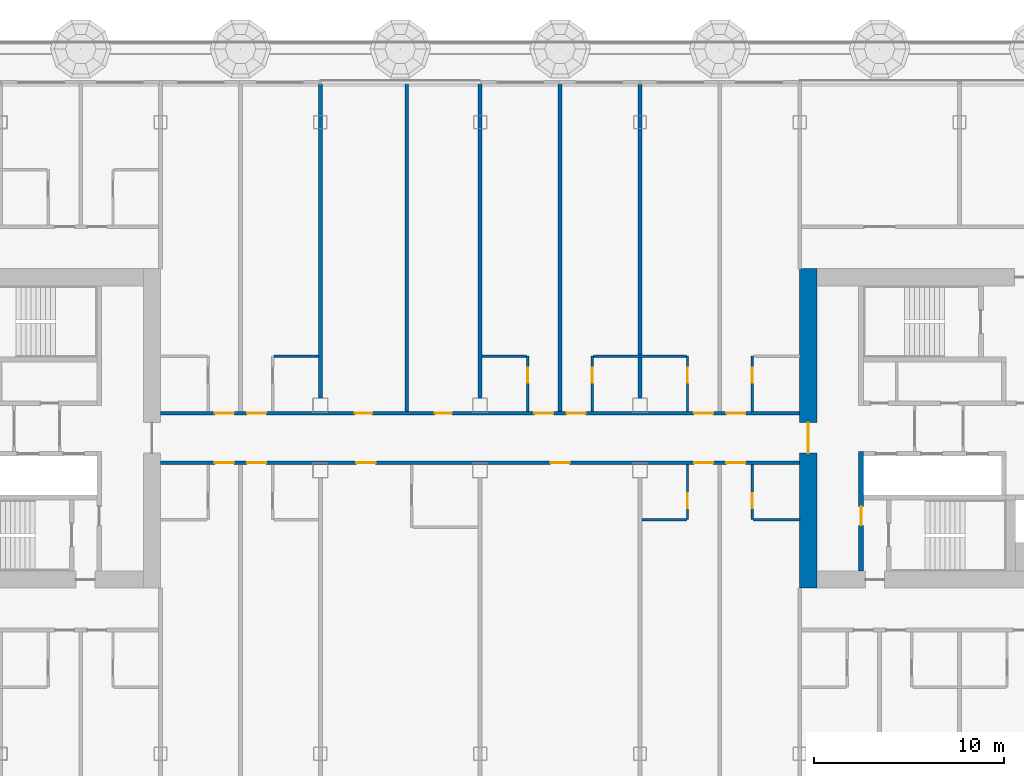
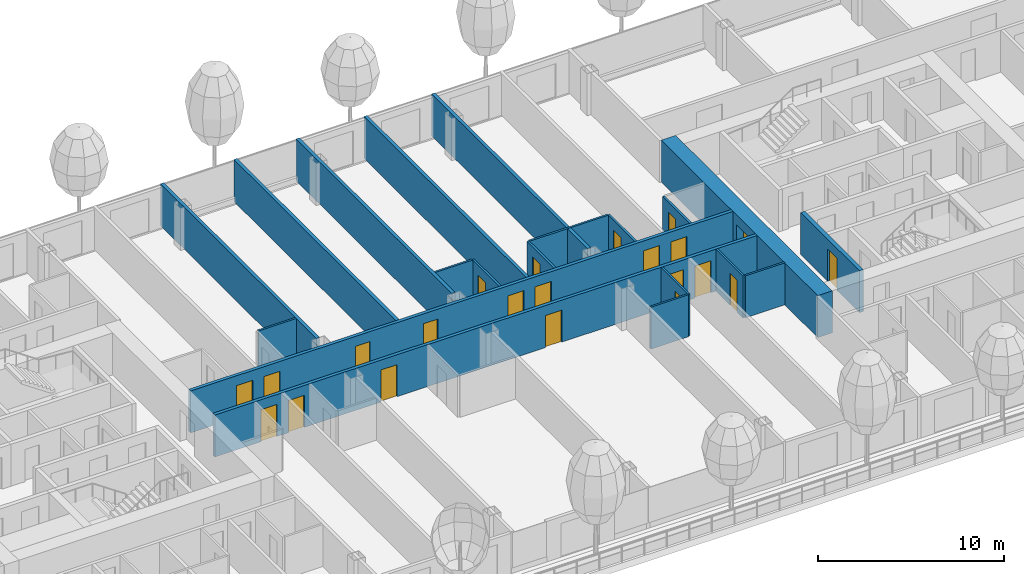
# One storey, part 15 of 32: 22 doors, 20 walls, 22 openings.
"""IFC4 building model written with IfcOpenShell, lengths in metres."""

from ifc_helpers import new_model, si_unit, direction, frame, frame_2d, origin, place, context, subcontext, project, spatial, rectangle, extrude, material, layer, layer_set, type_object, element, fill, save


model = new_model("IFC4")

# Units and contexts
model_context = context("Model", 3, precision=1e-05, world=origin(), true_north=direction((0.0, 1.0)))
body_context = subcontext(model_context, "Body", "Model", "MODEL_VIEW")
ifc_project = project(units=[si_unit("LENGTHUNIT", "METRE"), si_unit("AREAUNIT", "SQUARE_METRE"), si_unit("VOLUMEUNIT", "CUBIC_METRE"), si_unit("PLANEANGLEUNIT", "RADIAN"), si_unit("MASSUNIT", "GRAM", prefix="KILO")], contexts=[model_context])

# Site, building, storey
site_placement = place(None, origin())
site = spatial("IfcSite", under=ifc_project, at=site_placement, CompositionType="ELEMENT")
building_placement = place(site_placement, origin())
building = spatial("IfcBuilding", under=site, at=building_placement, Name="Hakoniwa Tower and Hamabe Station Hall", CompositionType="ELEMENT")
storey_placement = place(building_placement, frame((0.0, 0.0, 150.199951171875)))
storey = spatial("IfcBuildingStorey", under=building, at=storey_placement, Name="L42", CompositionType="ELEMENT", Elevation=150.199951171875)

# Walls
ifc_material_1 = material(Name="Gypsum board partition", Category="gypsum")
ifc_layer_1 = layer(ifc_material_1, 0.125)
ifc_layer_set_1 = layer_set([ifc_layer_1], Name="Bathroom Partition 125")
wall_type_1 = type_object("IfcWallType", Name="Bathroom Partition 125", PredefinedType="PARTITIONING", material=ifc_layer_set_1)
wall_1_placement = place(storey_placement, frame((8.5, -4.800048828125, 0.0), z_axis=(0.0, 0.0, 1.0), x_axis=(1.0, 0.0, 0.0)))
element("IfcWall", 1, at=wall_1_placement, inside=storey, type_object=wall_type_1, Name="GW-L42-016", PredefinedType="PARTITIONING", context=body_context, shape_type="SweptSolid", body=[
    extrude(rectangle(XDim=2.33740234375, YDim=0.125, at=frame_2d((1.168701171875, 0.0))), origin(), (0.0, 0.0, 1.0), 2.75),
])
wall_2_placement = place(storey_placement, frame((14.362548828125, -4.800048828125, 0.0), z_axis=(0.0, 0.0, 1.0), x_axis=(1.0, 0.0, 0.0)))
element("IfcWall", 2, at=wall_2_placement, inside=storey, type_object=wall_type_1, Name="GW-L42-017", PredefinedType="PARTITIONING", context=body_context, shape_type="SweptSolid", body=[
    extrude(rectangle(XDim=2.447509765625, YDim=0.125, at=frame_2d((1.2236328125, 0.0))), origin(), (0.0, 0.0, 1.0), 2.75),
])
for number, where, z_axis, x_axis, name in (
    (3, (-10.83740234375, 3.800048828125, 0.0), (0.0, 0.0, 1.0), (1.0, 0.0, 0.0), "GW-L42-023"),
    (4, (0.10009765625, 3.800048828125, 0.0), (0.0, 0.0, 1.0), (1.0, 0.0, 0.0), "GW-L42-024"),
):
    element("IfcWall", number, at=place(storey_placement, frame(where, z_axis=z_axis, x_axis=x_axis)), inside=storey, type_object=wall_type_1, Name=name, PredefinedType="PARTITIONING", context=body_context, shape_type="SweptSolid", body=[
        extrude(rectangle(XDim=2.33740234375, YDim=0.125, at=frame_2d((1.168701171875, 0.0))), origin(), (0.0, 0.0, 1.0), 2.75),
    ])
wall_3_placement = place(storey_placement, frame((5.96240234375, 3.800048828125, 0.0), z_axis=(0.0, 0.0, 1.0), x_axis=(1.0, 0.0, 0.0)))
element("IfcWall", 5, at=wall_3_placement, inside=storey, type_object=wall_type_1, Name="GW-L42-025", PredefinedType="PARTITIONING", context=body_context, shape_type="SweptSolid", body=[
    extrude(rectangle(XDim=4.875, YDim=0.125, at=frame_2d((2.4375, 0.0))), origin(), (0.0, 0.0, 1.0), 2.75),
])

# Wall, opening, door
wall_4_placement = place(storey_placement, frame((2.5, 0.89990234375, 0.0), z_axis=(0.0, 0.0, 1.0), x_axis=(0.0, 1.0, 0.0)))
wall_4 = element("IfcWall", 6, at=wall_4_placement, inside=storey, type_object=wall_type_1, Name="GW-L42-074", PredefinedType="PARTITIONING", context=body_context, shape_type="SweptSolid", body=[
    extrude(rectangle(XDim=2.900146484375, YDim=0.125, at=frame_2d((1.4501953125, 0.0))), origin(), (0.0, 0.0, 1.0), 2.75),
])
opening_1_placement = place(wall_4_placement, frame((1.5, 0.0, 0.0)))
opening_1 = element("IfcOpeningElement", 7, at=opening_1_placement, cuts=wall_4, Name="Opening GD-G3B1-61", PredefinedType="OPENING", context=body_context, shape_type="SweptSolid", body=[
    extrude(rectangle(XDim=0.800048828125, YDim=2.10009765625, at=frame_2d((0.39990234375, 1.050048828125))), frame((0.0, 0.072509765625, 0.0), z_axis=(0.0, -1.0, 0.0), x_axis=(1.0, 0.0, 0.0)), (0.0, 0.0, 1.0), 0.14501953125),
])
ifc_material_2 = material(Name="Timber door leaf", Category="wood")
door_type_1 = type_object("IfcDoorType", Name="Bathroom Door 800", OperationType="SINGLE_SWING_LEFT", PredefinedType="DOOR", material=ifc_material_2)
door_1_placement = place(opening_1_placement, origin())
door_1 = element("IfcDoor", 8, at=door_1_placement, inside=storey, type_object=door_type_1, Name="Door GD-G3B1-61", OperationType="SINGLE_SWING_LEFT", OverallHeight=2.10009765625, OverallWidth=0.800048828125, PredefinedType="DOOR", context=body_context, shape_type="SweptSolid", body=[
    extrude(rectangle(XDim=0.800048828125, YDim=2.10009765625, at=frame_2d((0.39990234375, 1.050048828125))), frame((0.0, 0.02490234375, 0.0), z_axis=(0.0, -1.0, 0.0), x_axis=(1.0, 0.0, 0.0)), (0.0, 0.0, 1.0), 0.050048828125),
])
fill(opening_1, door_1)

wall_5_placement = place(storey_placement, frame((5.89990234375, 0.89990234375, 0.0), z_axis=(0.0, 0.0, 1.0), x_axis=(0.0, 1.0, 0.0)))
wall_5 = element("IfcWall", 9, at=wall_5_placement, inside=storey, type_object=wall_type_1, Name="GW-L42-076", PredefinedType="PARTITIONING", context=body_context, shape_type="SweptSolid", body=[
    extrude(rectangle(XDim=2.900146484375, YDim=0.125, at=frame_2d((1.4501953125, 0.0))), origin(), (0.0, 0.0, 1.0), 2.75),
])
opening_2_placement = place(wall_5_placement, frame((1.5, 0.0, 0.0)))
opening_2 = element("IfcOpeningElement", 10, at=opening_2_placement, cuts=wall_5, Name="Opening GD-G3B1-62", PredefinedType="OPENING", context=body_context, shape_type="SweptSolid", body=[
    extrude(rectangle(XDim=0.800048828125, YDim=2.10009765625, at=frame_2d((0.39990234375, 1.050048828125))), frame((0.0, 0.072509765625, 0.0), z_axis=(0.0, -1.0, 0.0), x_axis=(1.0, 0.0, 0.0)), (0.0, 0.0, 1.0), 0.14501953125),
])
door_2_placement = place(opening_2_placement, origin())
door_2 = element("IfcDoor", 11, at=door_2_placement, inside=storey, type_object=door_type_1, Name="Door GD-G3B1-62", OperationType="SINGLE_SWING_RIGHT", OverallHeight=2.10009765625, OverallWidth=0.800048828125, PredefinedType="DOOR", context=body_context, shape_type="SweptSolid", body=[
    extrude(rectangle(XDim=0.800048828125, YDim=2.10009765625, at=frame_2d((0.39990234375, 1.050048828125))), frame((0.0, 0.02490234375, 0.0), z_axis=(0.0, -1.0, 0.0), x_axis=(1.0, 0.0, 0.0)), (0.0, 0.0, 1.0), 0.050048828125),
])
fill(opening_2, door_2)

wall_6_placement = place(storey_placement, frame((10.89990234375, -4.800048828125, 0.0), z_axis=(0.0, 0.0, 1.0), x_axis=(0.0, 1.0, 0.0)))
wall_6 = element("IfcWall", 12, at=wall_6_placement, inside=storey, type_object=wall_type_1, Name="GW-L42-079", PredefinedType="PARTITIONING", context=body_context, shape_type="SweptSolid", body=[
    extrude(rectangle(XDim=2.900146484375, YDim=0.125, at=frame_2d((1.4501953125, 0.0))), origin(), (0.0, 0.0, 1.0), 2.75),
])
opening_3_placement = place(wall_6_placement, frame((0.60009765625, 0.0, 0.0)))
opening_3 = element("IfcOpeningElement", 13, at=opening_3_placement, cuts=wall_6, Name="Opening GD-G3B1-63", PredefinedType="OPENING", context=body_context, shape_type="SweptSolid", body=[
    extrude(rectangle(XDim=0.800048828125, YDim=2.10009765625, at=frame_2d((0.39990234375, 1.050048828125))), frame((0.0, 0.072509765625, 0.0), z_axis=(0.0, -1.0, 0.0), x_axis=(1.0, 0.0, 0.0)), (0.0, 0.0, 1.0), 0.14501953125),
])
door_3_placement = place(opening_3_placement, origin())
door_3 = element("IfcDoor", 14, at=door_3_placement, inside=storey, type_object=door_type_1, Name="Door GD-G3B1-63", OperationType="SINGLE_SWING_RIGHT", OverallHeight=2.10009765625, OverallWidth=0.800048828125, PredefinedType="DOOR", context=body_context, shape_type="SweptSolid", body=[
    extrude(rectangle(XDim=0.800048828125, YDim=2.10009765625, at=frame_2d((0.39990234375, 1.050048828125))), frame((0.0, 0.02490234375, 0.0), z_axis=(0.0, -1.0, 0.0), x_axis=(1.0, 0.0, 0.0)), (0.0, 0.0, 1.0), 0.050048828125),
])
fill(opening_3, door_3)

wall_7_placement = place(storey_placement, frame((10.89990234375, 0.89990234375, 0.0), z_axis=(0.0, 0.0, 1.0), x_axis=(0.0, 1.0, 0.0)))
wall_7 = element("IfcWall", 15, at=wall_7_placement, inside=storey, type_object=wall_type_1, Name="GW-L42-080", PredefinedType="PARTITIONING", context=body_context, shape_type="SweptSolid", body=[
    extrude(rectangle(XDim=2.900146484375, YDim=0.125, at=frame_2d((1.4501953125, 0.0))), origin(), (0.0, 0.0, 1.0), 2.75),
])
opening_4_placement = place(wall_7_placement, frame((1.5, 0.0, 0.0)))
opening_4 = element("IfcOpeningElement", 16, at=opening_4_placement, cuts=wall_7, Name="Opening GD-G3B1-64", PredefinedType="OPENING", context=body_context, shape_type="SweptSolid", body=[
    extrude(rectangle(XDim=0.800048828125, YDim=2.10009765625, at=frame_2d((0.39990234375, 1.050048828125))), frame((0.0, 0.072509765625, 0.0), z_axis=(0.0, -1.0, 0.0), x_axis=(1.0, 0.0, 0.0)), (0.0, 0.0, 1.0), 0.14501953125),
])
door_4_placement = place(opening_4_placement, origin())
door_4 = element("IfcDoor", 17, at=door_4_placement, inside=storey, type_object=door_type_1, Name="Door GD-G3B1-64", OperationType="SINGLE_SWING_LEFT", OverallHeight=2.10009765625, OverallWidth=0.800048828125, PredefinedType="DOOR", context=body_context, shape_type="SweptSolid", body=[
    extrude(rectangle(XDim=0.800048828125, YDim=2.10009765625, at=frame_2d((0.39990234375, 1.050048828125))), frame((0.0, 0.02490234375, 0.0), z_axis=(0.0, -1.0, 0.0), x_axis=(1.0, 0.0, 0.0)), (0.0, 0.0, 1.0), 0.050048828125),
])
fill(opening_4, door_4)

wall_8_placement = place(storey_placement, frame((14.300048828125, -4.800048828125, 0.0), z_axis=(0.0, 0.0, 1.0), x_axis=(0.0, 1.0, 0.0)))
wall_8 = element("IfcWall", 18, at=wall_8_placement, inside=storey, type_object=wall_type_1, Name="GW-L42-083", PredefinedType="PARTITIONING", context=body_context, shape_type="SweptSolid", body=[
    extrude(rectangle(XDim=2.900146484375, YDim=0.125, at=frame_2d((1.4501953125, 0.0))), origin(), (0.0, 0.0, 1.0), 2.75),
])
opening_5_placement = place(wall_8_placement, frame((0.60009765625, 0.0, 0.0)))
opening_5 = element("IfcOpeningElement", 19, at=opening_5_placement, cuts=wall_8, Name="Opening GD-G3B1-65", PredefinedType="OPENING", context=body_context, shape_type="SweptSolid", body=[
    extrude(rectangle(XDim=0.800048828125, YDim=2.10009765625, at=frame_2d((0.39990234375, 1.050048828125))), frame((0.0, 0.072509765625, 0.0), z_axis=(0.0, -1.0, 0.0), x_axis=(1.0, 0.0, 0.0)), (0.0, 0.0, 1.0), 0.14501953125),
])
door_5_placement = place(opening_5_placement, origin())
door_5 = element("IfcDoor", 20, at=door_5_placement, inside=storey, type_object=door_type_1, Name="Door GD-G3B1-65", OperationType="SINGLE_SWING_LEFT", OverallHeight=2.10009765625, OverallWidth=0.800048828125, PredefinedType="DOOR", context=body_context, shape_type="SweptSolid", body=[
    extrude(rectangle(XDim=0.800048828125, YDim=2.10009765625, at=frame_2d((0.39990234375, 1.050048828125))), frame((0.0, 0.02490234375, 0.0), z_axis=(0.0, -1.0, 0.0), x_axis=(1.0, 0.0, 0.0)), (0.0, 0.0, 1.0), 0.050048828125),
])
fill(opening_5, door_5)

wall_9_placement = place(storey_placement, frame((14.300048828125, 0.89990234375, 0.0), z_axis=(0.0, 0.0, 1.0), x_axis=(0.0, 1.0, 0.0)))
wall_9 = element("IfcWall", 21, at=wall_9_placement, inside=storey, type_object=wall_type_1, Name="GW-L42-084", PredefinedType="PARTITIONING", context=body_context, shape_type="SweptSolid", body=[
    extrude(rectangle(XDim=2.900146484375, YDim=0.125, at=frame_2d((1.4501953125, 0.0))), origin(), (0.0, 0.0, 1.0), 2.75),
])
opening_6_placement = place(wall_9_placement, frame((1.5, 0.0, 0.0)))
opening_6 = element("IfcOpeningElement", 22, at=opening_6_placement, cuts=wall_9, Name="Opening GD-G3B1-66", PredefinedType="OPENING", context=body_context, shape_type="SweptSolid", body=[
    extrude(rectangle(XDim=0.800048828125, YDim=2.10009765625, at=frame_2d((0.39990234375, 1.050048828125))), frame((0.0, 0.072509765625, 0.0), z_axis=(0.0, -1.0, 0.0), x_axis=(1.0, 0.0, 0.0)), (0.0, 0.0, 1.0), 0.14501953125),
])
door_6_placement = place(opening_6_placement, origin())
door_6 = element("IfcDoor", 23, at=door_6_placement, inside=storey, type_object=door_type_1, Name="Door GD-G3B1-66", OperationType="SINGLE_SWING_RIGHT", OverallHeight=2.10009765625, OverallWidth=0.800048828125, PredefinedType="DOOR", context=body_context, shape_type="SweptSolid", body=[
    extrude(rectangle(XDim=0.800048828125, YDim=2.10009765625, at=frame_2d((0.39990234375, 1.050048828125))), frame((0.0, 0.02490234375, 0.0), z_axis=(0.0, -1.0, 0.0), x_axis=(1.0, 0.0, 0.0)), (0.0, 0.0, 1.0), 0.050048828125),
])
fill(opening_6, door_6)

ifc_material_3 = material(Name="Concrete C66", Category="concrete")
ifc_layer_2 = layer(ifc_material_3, 0.89990234375)
ifc_layer_set_2 = layer_set([ifc_layer_2], Name="CORE WALL 900 C66")
wall_type_2 = type_object("IfcWallType", Name="CORE WALL 900 C66", PredefinedType="SHEAR", material=ifc_layer_set_2)
wall_10_placement = place(storey_placement, frame((17.25, -8.39990234375, 0.0), z_axis=(0.0, 0.0, 1.0), x_axis=(0.0, 1.0, 0.0)))
wall_10 = element("IfcWall", 24, at=wall_10_placement, inside=storey, type_object=wall_type_2, Name="Core wall INNER east", PredefinedType="SHEAR", context=body_context, shape_type="SweptSolid", body=[
    extrude(rectangle(XDim=16.7998046875, YDim=0.89990234375, at=frame_2d((8.39990234375, 0.0))), origin(), (0.0, 0.0, 1.0), 2.75),
])
opening_7_placement = place(wall_10_placement, frame((7.10009765625, 0.0, 0.0)))
opening_7 = element("IfcOpeningElement", 25, at=opening_7_placement, cuts=wall_10, Name="Opening CD-E-IN1-16", PredefinedType="OPENING", context=body_context, shape_type="SweptSolid", body=[
    extrude(rectangle(XDim=1.60009765625, YDim=2.10009765625, at=frame_2d((0.800048828125, 1.050048828125))), frame((0.0, 0.4599609375, 0.0), z_axis=(0.0, -1.0, 0.0), x_axis=(1.0, 0.0, 0.0)), (0.0, 0.0, 1.0), 0.919921875),
])
ifc_material_4 = material(Name="Steel fire door", Category="steel")
door_type_2 = type_object("IfcDoorType", Name="CORE DOOR 1600 FD60", OperationType="DOUBLE_DOOR_SINGLE_SWING", PredefinedType="DOOR", material=ifc_material_4)
door_7_placement = place(opening_7_placement, origin())
door_7 = element("IfcDoor", 26, at=door_7_placement, inside=storey, type_object=door_type_2, Name="Lift lobby door", OperationType="DOUBLE_DOOR_SINGLE_SWING", OverallHeight=2.10009765625, OverallWidth=1.60009765625, PredefinedType="DOOR", context=body_context, shape_type="SweptSolid", body=[
    extrude(rectangle(XDim=1.60009765625, YDim=2.10009765625, at=frame_2d((0.800048828125, 1.050048828125))), frame((0.0, 0.02490234375, 0.0), z_axis=(0.0, -1.0, 0.0), x_axis=(1.0, 0.0, 0.0)), (0.0, 0.0, 1.0), 0.050048828125),
])
fill(opening_7, door_7)

ifc_material_5 = material(Name="Concrete C66", Category="concrete")
ifc_layer_3 = layer(ifc_material_5, 0.25)
ifc_layer_set_3 = layer_set([ifc_layer_3], Name="CORE WEB WALL 250 C66")
wall_type_3 = type_object("IfcWallType", Name="CORE WEB WALL 250 C66", PredefinedType="SHEAR", material=ifc_layer_set_3)
wall_11_placement = place(storey_placement, frame((20.02490234375, -7.5, 0.0), z_axis=(0.0, 0.0, 1.0), x_axis=(0.0, 1.0, 0.0)))
wall_11 = element("IfcWall", 27, at=wall_11_placement, inside=storey, type_object=wall_type_3, Name="Core wall W1S east", PredefinedType="SHEAR", context=body_context, shape_type="SweptSolid", body=[
    extrude(rectangle(XDim=6.300048828125, YDim=0.25, at=frame_2d((3.14990234375, 0.0))), origin(), (0.0, 0.0, 1.0), 2.75),
])
opening_8_placement = place(wall_11_placement, frame((2.39990234375, 0.0, 0.0)))
opening_8 = element("IfcOpeningElement", 28, at=opening_8_placement, cuts=wall_11, Name="Opening CD-E-VS-10", PredefinedType="OPENING", context=body_context, shape_type="SweptSolid", body=[
    extrude(rectangle(XDim=1.0, YDim=2.10009765625, at=frame_2d((0.5, 1.050048828125))), frame((0.0, 0.135009765625, 0.0), z_axis=(0.0, -1.0, 0.0), x_axis=(1.0, 0.0, 0.0)), (0.0, 0.0, 1.0), 0.27001953125),
])
ifc_material_6 = material(Name="Steel fire door", Category="steel")
door_type_3 = type_object("IfcDoorType", Name="CORE DOOR 1000 FD60", OperationType="NOTDEFINED", PredefinedType="DOOR", material=ifc_material_6)
door_8_placement = place(opening_8_placement, origin())
door_8 = element("IfcDoor", 29, at=door_8_placement, inside=storey, type_object=door_type_3, Name="Stair vestibule door", OperationType="SINGLE_SWING_RIGHT", OverallHeight=2.10009765625, OverallWidth=1.0, PredefinedType="DOOR", context=body_context, shape_type="SweptSolid", body=[
    extrude(rectangle(XDim=1.0, YDim=2.10009765625, at=frame_2d((0.5, 1.050048828125))), frame((0.0, 0.02490234375, 0.0), z_axis=(0.0, -1.0, 0.0), x_axis=(1.0, 0.0, 0.0)), (0.0, 0.0, 1.0), 0.050048828125),
])
fill(opening_8, door_8)

# Wall, openings, doors
ifc_material_7 = material(Name="Fire-rated gypsum board partition", Category="gypsum")
ifc_layer_4 = layer(ifc_material_7, 0.199951171875)
ifc_layer_set_4 = layer_set([ifc_layer_4], Name="Corridor Wall 200")
wall_type_4 = type_object("IfcWallType", Name="Corridor Wall 200", PredefinedType="PARTITIONING", material=ifc_layer_set_4)
wall_12_placement = place(storey_placement, frame((-16.800048828125, -1.800048828125, 0.0), z_axis=(0.0, 0.0, 1.0), x_axis=(1.0, 0.0, 0.0)))
wall_12 = element("IfcWall", 30, at=wall_12_placement, inside=storey, type_object=wall_type_4, Name="GW-L42-018", PredefinedType="PARTITIONING", context=body_context, shape_type="SweptSolid", body=[
    extrude(rectangle(XDim=33.60009765625, YDim=0.199951171875, at=frame_2d((16.800048828125, 0.0))), origin(), (0.0, 0.0, 1.0), 2.75),
])
opening_9_placement = place(wall_12_placement, frame((2.85009765625, 0.0, 0.0)))
opening_9 = element("IfcOpeningElement", 31, at=opening_9_placement, cuts=wall_12, Name="Opening GD-G3B1-17", PredefinedType="OPENING", context=body_context, shape_type="SweptSolid", body=[
    extrude(rectangle(XDim=1.0, YDim=2.10009765625, at=frame_2d((0.5, 1.050048828125))), frame((0.0, 0.10986328125, 0.0), z_axis=(0.0, -1.0, 0.0), x_axis=(1.0, 0.0, 0.0)), (0.0, 0.0, 1.0), 0.219970703125),
])
opening_10_placement = place(wall_12_placement, frame((4.550048828125, 0.0, 0.0)))
opening_10 = element("IfcOpeningElement", 32, at=opening_10_placement, cuts=wall_12, Name="Opening GD-G3B1-18", PredefinedType="OPENING", context=body_context, shape_type="SweptSolid", body=[
    extrude(rectangle(XDim=1.0, YDim=2.10009765625, at=frame_2d((0.5, 1.050048828125))), frame((0.0, 0.10986328125, 0.0), z_axis=(0.0, -1.0, 0.0), x_axis=(1.0, 0.0, 0.0)), (0.0, 0.0, 1.0), 0.219970703125),
])
opening_11_placement = place(wall_12_placement, frame((10.300048828125, 0.0, 0.0)))
opening_11 = element("IfcOpeningElement", 33, at=opening_11_placement, cuts=wall_12, Name="Opening GD-G3B1-19", PredefinedType="OPENING", context=body_context, shape_type="SweptSolid", body=[
    extrude(rectangle(XDim=1.0, YDim=2.10009765625, at=frame_2d((0.5, 1.050048828125))), frame((0.0, 0.10986328125, 0.0), z_axis=(0.0, -1.0, 0.0), x_axis=(1.0, 0.0, 0.0)), (0.0, 0.0, 1.0), 0.219970703125),
])
opening_12_placement = place(wall_12_placement, frame((20.5, 0.0, 0.0)))
opening_12 = element("IfcOpeningElement", 34, at=opening_12_placement, cuts=wall_12, Name="Opening GD-G3B1-20", PredefinedType="OPENING", context=body_context, shape_type="SweptSolid", body=[
    extrude(rectangle(XDim=1.0, YDim=2.10009765625, at=frame_2d((0.5, 1.050048828125))), frame((0.0, 0.10986328125, 0.0), z_axis=(0.0, -1.0, 0.0), x_axis=(1.0, 0.0, 0.0)), (0.0, 0.0, 1.0), 0.219970703125),
])
opening_13_placement = place(wall_12_placement, frame((28.050048828125, 0.0, 0.0)))
opening_13 = element("IfcOpeningElement", 35, at=opening_13_placement, cuts=wall_12, Name="Opening GD-G3B1-21", PredefinedType="OPENING", context=body_context, shape_type="SweptSolid", body=[
    extrude(rectangle(XDim=1.0, YDim=2.10009765625, at=frame_2d((0.5, 1.050048828125))), frame((0.0, 0.10986328125, 0.0), z_axis=(0.0, -1.0, 0.0), x_axis=(1.0, 0.0, 0.0)), (0.0, 0.0, 1.0), 0.219970703125),
])
opening_14_placement = place(wall_12_placement, frame((29.75, 0.0, 0.0)))
opening_14 = element("IfcOpeningElement", 36, at=opening_14_placement, cuts=wall_12, Name="Opening GD-G3B1-22", PredefinedType="OPENING", context=body_context, shape_type="SweptSolid", body=[
    extrude(rectangle(XDim=1.0, YDim=2.10009765625, at=frame_2d((0.5, 1.050048828125))), frame((0.0, 0.10986328125, 0.0), z_axis=(0.0, -1.0, 0.0), x_axis=(1.0, 0.0, 0.0)), (0.0, 0.0, 1.0), 0.219970703125),
])
ifc_material_8 = material(Name="Timber door leaf", Category="wood")
door_type_4 = type_object("IfcDoorType", Name="Accessible Guest Entrance Door 1000", OperationType="SINGLE_SWING_LEFT", PredefinedType="DOOR", material=ifc_material_8)
door_9_placement = place(opening_11_placement, origin())
door_9 = element("IfcDoor", 37, at=door_9_placement, inside=storey, type_object=door_type_4, Name="Door GD-G3B1-19", OperationType="SINGLE_SWING_LEFT", OverallHeight=2.10009765625, OverallWidth=1.0, PredefinedType="DOOR", context=body_context, shape_type="SweptSolid", body=[
    extrude(rectangle(XDim=1.0, YDim=2.10009765625, at=frame_2d((0.5, 1.050048828125))), frame((0.0, 0.02490234375, 0.0), z_axis=(0.0, -1.0, 0.0), x_axis=(1.0, 0.0, 0.0)), (0.0, 0.0, 1.0), 0.050048828125),
])
fill(opening_11, door_9)
ifc_material_9 = material(Name="Timber door leaf", Category="wood")
door_type_5 = type_object("IfcDoorType", Name="Guest Entrance Door 1000", OperationType="SINGLE_SWING_LEFT", PredefinedType="DOOR", material=ifc_material_9)
door_10_placement = place(opening_9_placement, origin())
door_10 = element("IfcDoor", 38, at=door_10_placement, inside=storey, type_object=door_type_5, Name="Door GD-G3B1-17", OperationType="SINGLE_SWING_LEFT", OverallHeight=2.10009765625, OverallWidth=1.0, PredefinedType="DOOR", context=body_context, shape_type="SweptSolid", body=[
    extrude(rectangle(XDim=1.0, YDim=2.10009765625, at=frame_2d((0.5, 1.050048828125))), frame((0.0, 0.02490234375, 0.0), z_axis=(0.0, -1.0, 0.0), x_axis=(1.0, 0.0, 0.0)), (0.0, 0.0, 1.0), 0.050048828125),
])
fill(opening_9, door_10)
door_11_placement = place(opening_10_placement, origin())
door_11 = element("IfcDoor", 39, at=door_11_placement, inside=storey, type_object=door_type_5, Name="Door GD-G3B1-18", OperationType="SINGLE_SWING_RIGHT", OverallHeight=2.10009765625, OverallWidth=1.0, PredefinedType="DOOR", context=body_context, shape_type="SweptSolid", body=[
    extrude(rectangle(XDim=1.0, YDim=2.10009765625, at=frame_2d((0.5, 1.050048828125))), frame((0.0, 0.02490234375, 0.0), z_axis=(0.0, -1.0, 0.0), x_axis=(1.0, 0.0, 0.0)), (0.0, 0.0, 1.0), 0.050048828125),
])
fill(opening_10, door_11)
door_12_placement = place(opening_12_placement, origin())
door_12 = element("IfcDoor", 40, at=door_12_placement, inside=storey, type_object=door_type_5, Name="Door GD-G3B1-20", OperationType="SINGLE_SWING_LEFT", OverallHeight=2.10009765625, OverallWidth=1.0, PredefinedType="DOOR", context=body_context, shape_type="SweptSolid", body=[
    extrude(rectangle(XDim=1.0, YDim=2.10009765625, at=frame_2d((0.5, 1.050048828125))), frame((0.0, 0.02490234375, 0.0), z_axis=(0.0, -1.0, 0.0), x_axis=(1.0, 0.0, 0.0)), (0.0, 0.0, 1.0), 0.050048828125),
])
fill(opening_12, door_12)
door_13_placement = place(opening_13_placement, origin())
door_13 = element("IfcDoor", 41, at=door_13_placement, inside=storey, type_object=door_type_5, Name="Door GD-G3B1-21", OperationType="SINGLE_SWING_RIGHT", OverallHeight=2.10009765625, OverallWidth=1.0, PredefinedType="DOOR", context=body_context, shape_type="SweptSolid", body=[
    extrude(rectangle(XDim=1.0, YDim=2.10009765625, at=frame_2d((0.5, 1.050048828125))), frame((0.0, 0.02490234375, 0.0), z_axis=(0.0, -1.0, 0.0), x_axis=(1.0, 0.0, 0.0)), (0.0, 0.0, 1.0), 0.050048828125),
])
fill(opening_13, door_13)
door_14_placement = place(opening_14_placement, origin())
door_14 = element("IfcDoor", 42, at=door_14_placement, inside=storey, type_object=door_type_5, Name="Door GD-G3B1-22", OperationType="SINGLE_SWING_LEFT", OverallHeight=2.10009765625, OverallWidth=1.0, PredefinedType="DOOR", context=body_context, shape_type="SweptSolid", body=[
    extrude(rectangle(XDim=1.0, YDim=2.10009765625, at=frame_2d((0.5, 1.050048828125))), frame((0.0, 0.02490234375, 0.0), z_axis=(0.0, -1.0, 0.0), x_axis=(1.0, 0.0, 0.0)), (0.0, 0.0, 1.0), 0.050048828125),
])
fill(opening_14, door_14)

wall_13_placement = place(storey_placement, frame((-16.800048828125, 0.800048828125, 0.0), z_axis=(0.0, 0.0, 1.0), x_axis=(1.0, 0.0, 0.0)))
wall_13 = element("IfcWall", 43, at=wall_13_placement, inside=storey, type_object=wall_type_4, Name="GW-L42-021", PredefinedType="PARTITIONING", context=body_context, shape_type="SweptSolid", body=[
    extrude(rectangle(XDim=33.60009765625, YDim=0.199951171875, at=frame_2d((16.800048828125, 0.0))), origin(), (0.0, 0.0, 1.0), 2.75),
])
opening_15_placement = place(wall_13_placement, frame((2.85009765625, 0.0, 0.0)))
opening_15 = element("IfcOpeningElement", 44, at=opening_15_placement, cuts=wall_13, Name="Opening GD-G3B1-23", PredefinedType="OPENING", context=body_context, shape_type="SweptSolid", body=[
    extrude(rectangle(XDim=1.0, YDim=2.10009765625, at=frame_2d((0.5, 1.050048828125))), frame((0.0, 0.10986328125, 0.0), z_axis=(0.0, -1.0, 0.0), x_axis=(1.0, 0.0, 0.0)), (0.0, 0.0, 1.0), 0.219970703125),
])
opening_16_placement = place(wall_13_placement, frame((4.550048828125, 0.0, 0.0)))
opening_16 = element("IfcOpeningElement", 45, at=opening_16_placement, cuts=wall_13, Name="Opening GD-G3B1-24", PredefinedType="OPENING", context=body_context, shape_type="SweptSolid", body=[
    extrude(rectangle(XDim=1.0, YDim=2.10009765625, at=frame_2d((0.5, 1.050048828125))), frame((0.0, 0.10986328125, 0.0), z_axis=(0.0, -1.0, 0.0), x_axis=(1.0, 0.0, 0.0)), (0.0, 0.0, 1.0), 0.219970703125),
])
opening_17_placement = place(wall_13_placement, frame((10.219970703125, 0.0, 0.0)))
opening_17 = element("IfcOpeningElement", 46, at=opening_17_placement, cuts=wall_13, Name="Opening GD-G3B1-25", PredefinedType="OPENING", context=body_context, shape_type="SweptSolid", body=[
    extrude(rectangle(XDim=0.89990234375, YDim=2.10009765625, at=frame_2d((0.449951171875, 1.050048828125))), frame((0.0, 0.10986328125, 0.0), z_axis=(0.0, -1.0, 0.0), x_axis=(1.0, 0.0, 0.0)), (0.0, 0.0, 1.0), 0.219970703125),
])
opening_18_placement = place(wall_13_placement, frame((14.419921875, 0.0, 0.0)))
opening_18 = element("IfcOpeningElement", 47, at=opening_18_placement, cuts=wall_13, Name="Opening GD-G3B1-26", PredefinedType="OPENING", context=body_context, shape_type="SweptSolid", body=[
    extrude(rectangle(XDim=0.89990234375, YDim=2.10009765625, at=frame_2d((0.449951171875, 1.050048828125))), frame((0.0, 0.10986328125, 0.0), z_axis=(0.0, -1.0, 0.0), x_axis=(1.0, 0.0, 0.0)), (0.0, 0.0, 1.0), 0.219970703125),
])
opening_19_placement = place(wall_13_placement, frame((19.64990234375, 0.0, 0.0)))
opening_19 = element("IfcOpeningElement", 48, at=opening_19_placement, cuts=wall_13, Name="Opening GD-G3B1-27", PredefinedType="OPENING", context=body_context, shape_type="SweptSolid", body=[
    extrude(rectangle(XDim=1.0, YDim=2.10009765625, at=frame_2d((0.5, 1.050048828125))), frame((0.0, 0.10986328125, 0.0), z_axis=(0.0, -1.0, 0.0), x_axis=(1.0, 0.0, 0.0)), (0.0, 0.0, 1.0), 0.219970703125),
])
opening_20_placement = place(wall_13_placement, frame((21.35009765625, 0.0, 0.0)))
opening_20 = element("IfcOpeningElement", 49, at=opening_20_placement, cuts=wall_13, Name="Opening GD-G3B1-28", PredefinedType="OPENING", context=body_context, shape_type="SweptSolid", body=[
    extrude(rectangle(XDim=1.0, YDim=2.10009765625, at=frame_2d((0.5, 1.050048828125))), frame((0.0, 0.10986328125, 0.0), z_axis=(0.0, -1.0, 0.0), x_axis=(1.0, 0.0, 0.0)), (0.0, 0.0, 1.0), 0.219970703125),
])
opening_21_placement = place(wall_13_placement, frame((28.050048828125, 0.0, 0.0)))
opening_21 = element("IfcOpeningElement", 50, at=opening_21_placement, cuts=wall_13, Name="Opening GD-G3B1-29", PredefinedType="OPENING", context=body_context, shape_type="SweptSolid", body=[
    extrude(rectangle(XDim=1.0, YDim=2.10009765625, at=frame_2d((0.5, 1.050048828125))), frame((0.0, 0.10986328125, 0.0), z_axis=(0.0, -1.0, 0.0), x_axis=(1.0, 0.0, 0.0)), (0.0, 0.0, 1.0), 0.219970703125),
])
opening_22_placement = place(wall_13_placement, frame((29.75, 0.0, 0.0)))
opening_22 = element("IfcOpeningElement", 51, at=opening_22_placement, cuts=wall_13, Name="Opening GD-G3B1-30", PredefinedType="OPENING", context=body_context, shape_type="SweptSolid", body=[
    extrude(rectangle(XDim=1.0, YDim=2.10009765625, at=frame_2d((0.5, 1.050048828125))), frame((0.0, 0.10986328125, 0.0), z_axis=(0.0, -1.0, 0.0), x_axis=(1.0, 0.0, 0.0)), (0.0, 0.0, 1.0), 0.219970703125),
])
door_15_placement = place(opening_15_placement, origin())
door_15 = element("IfcDoor", 52, at=door_15_placement, inside=storey, type_object=door_type_5, Name="Door GD-G3B1-23", OperationType="SINGLE_SWING_LEFT", OverallHeight=2.10009765625, OverallWidth=1.0, PredefinedType="DOOR", context=body_context, shape_type="SweptSolid", body=[
    extrude(rectangle(XDim=1.0, YDim=2.10009765625, at=frame_2d((0.5, 1.050048828125))), frame((0.0, 0.02490234375, 0.0), z_axis=(0.0, -1.0, 0.0), x_axis=(1.0, 0.0, 0.0)), (0.0, 0.0, 1.0), 0.050048828125),
])
fill(opening_15, door_15)
door_16_placement = place(opening_16_placement, origin())
door_16 = element("IfcDoor", 53, at=door_16_placement, inside=storey, type_object=door_type_5, Name="Door GD-G3B1-24", OperationType="SINGLE_SWING_RIGHT", OverallHeight=2.10009765625, OverallWidth=1.0, PredefinedType="DOOR", context=body_context, shape_type="SweptSolid", body=[
    extrude(rectangle(XDim=1.0, YDim=2.10009765625, at=frame_2d((0.5, 1.050048828125))), frame((0.0, 0.02490234375, 0.0), z_axis=(0.0, -1.0, 0.0), x_axis=(1.0, 0.0, 0.0)), (0.0, 0.0, 1.0), 0.050048828125),
])
fill(opening_16, door_16)
door_17_placement = place(opening_19_placement, origin())
door_17 = element("IfcDoor", 54, at=door_17_placement, inside=storey, type_object=door_type_5, Name="Door GD-G3B1-27", OperationType="SINGLE_SWING_LEFT", OverallHeight=2.10009765625, OverallWidth=1.0, PredefinedType="DOOR", context=body_context, shape_type="SweptSolid", body=[
    extrude(rectangle(XDim=1.0, YDim=2.10009765625, at=frame_2d((0.5, 1.050048828125))), frame((0.0, 0.02490234375, 0.0), z_axis=(0.0, -1.0, 0.0), x_axis=(1.0, 0.0, 0.0)), (0.0, 0.0, 1.0), 0.050048828125),
])
fill(opening_19, door_17)
door_18_placement = place(opening_20_placement, origin())
door_18 = element("IfcDoor", 55, at=door_18_placement, inside=storey, type_object=door_type_5, Name="Door GD-G3B1-28", OperationType="SINGLE_SWING_RIGHT", OverallHeight=2.10009765625, OverallWidth=1.0, PredefinedType="DOOR", context=body_context, shape_type="SweptSolid", body=[
    extrude(rectangle(XDim=1.0, YDim=2.10009765625, at=frame_2d((0.5, 1.050048828125))), frame((0.0, 0.02490234375, 0.0), z_axis=(0.0, -1.0, 0.0), x_axis=(1.0, 0.0, 0.0)), (0.0, 0.0, 1.0), 0.050048828125),
])
fill(opening_20, door_18)
door_19_placement = place(opening_21_placement, origin())
door_19 = element("IfcDoor", 56, at=door_19_placement, inside=storey, type_object=door_type_5, Name="Door GD-G3B1-29", OperationType="SINGLE_SWING_LEFT", OverallHeight=2.10009765625, OverallWidth=1.0, PredefinedType="DOOR", context=body_context, shape_type="SweptSolid", body=[
    extrude(rectangle(XDim=1.0, YDim=2.10009765625, at=frame_2d((0.5, 1.050048828125))), frame((0.0, 0.02490234375, 0.0), z_axis=(0.0, -1.0, 0.0), x_axis=(1.0, 0.0, 0.0)), (0.0, 0.0, 1.0), 0.050048828125),
])
fill(opening_21, door_19)
door_20_placement = place(opening_22_placement, origin())
door_20 = element("IfcDoor", 57, at=door_20_placement, inside=storey, type_object=door_type_5, Name="Door GD-G3B1-30", OperationType="SINGLE_SWING_LEFT", OverallHeight=2.10009765625, OverallWidth=1.0, PredefinedType="DOOR", context=body_context, shape_type="SweptSolid", body=[
    extrude(rectangle(XDim=1.0, YDim=2.10009765625, at=frame_2d((0.5, 1.050048828125))), frame((0.0, 0.02490234375, 0.0), z_axis=(0.0, -1.0, 0.0), x_axis=(1.0, 0.0, 0.0)), (0.0, 0.0, 1.0), 0.050048828125),
])
fill(opening_22, door_20)
ifc_material_10 = material(Name="Timber door leaf", Category="wood")
door_type_6 = type_object("IfcDoorType", Name="Service Door 900", OperationType="SINGLE_SWING_LEFT", PredefinedType="DOOR", material=ifc_material_10)
door_21_placement = place(opening_17_placement, origin())
door_21 = element("IfcDoor", 58, at=door_21_placement, inside=storey, type_object=door_type_6, Name="Door GD-G3B1-25", OperationType="SINGLE_SWING_LEFT", OverallHeight=2.10009765625, OverallWidth=0.89990234375, PredefinedType="DOOR", context=body_context, shape_type="SweptSolid", body=[
    extrude(rectangle(XDim=0.89990234375, YDim=2.10009765625, at=frame_2d((0.449951171875, 1.050048828125))), frame((0.0, 0.02490234375, 0.0), z_axis=(0.0, -1.0, 0.0), x_axis=(1.0, 0.0, 0.0)), (0.0, 0.0, 1.0), 0.050048828125),
])
fill(opening_17, door_21)
door_22_placement = place(opening_18_placement, origin())
door_22 = element("IfcDoor", 59, at=door_22_placement, inside=storey, type_object=door_type_6, Name="Door GD-G3B1-26", OperationType="SINGLE_SWING_RIGHT", OverallHeight=2.10009765625, OverallWidth=0.89990234375, PredefinedType="DOOR", context=body_context, shape_type="SweptSolid", body=[
    extrude(rectangle(XDim=0.89990234375, YDim=2.10009765625, at=frame_2d((0.449951171875, 1.050048828125))), frame((0.0, 0.02490234375, 0.0), z_axis=(0.0, -1.0, 0.0), x_axis=(1.0, 0.0, 0.0)), (0.0, 0.0, 1.0), 0.050048828125),
])
fill(opening_18, door_22)

# Walls
ifc_material_11 = material(Name="Fire-rated gypsum board partition", Category="gypsum")
ifc_layer_5 = layer(ifc_material_11, 0.199951171875)
ifc_layer_set_5 = layer_set([ifc_layer_5], Name="Party Wall 200")
wall_type_5 = type_object("IfcWallType", Name="Party Wall 200", PredefinedType="PARTITIONING", material=ifc_layer_set_5)
wall_14_placement = place(storey_placement, frame((-8.39990234375, 1.590087890625, 0.0), z_axis=(0.0, 0.0, 1.0), x_axis=(0.0, 1.0, 0.0)))
element("IfcWall", 60, at=wall_14_placement, inside=storey, type_object=wall_type_5, Name="GW-L42-069", PredefinedType="PARTITIONING", context=body_context, shape_type="SweptSolid", body=[
    extrude(rectangle(XDim=16.7099609375, YDim=0.199951171875, at=frame_2d((8.35498046875, 0.0))), origin(), (0.0, 0.0, 1.0), 2.75),
])
wall_15_placement = place(storey_placement, frame((-3.860107421875, 0.89990234375, 0.0), z_axis=(0.0, 0.0, 1.0), x_axis=(0.0, 1.0, 0.0)))
element("IfcWall", 61, at=wall_15_placement, inside=storey, type_object=wall_type_5, Name="GW-L42-070", PredefinedType="PARTITIONING", context=body_context, shape_type="SweptSolid", body=[
    extrude(rectangle(XDim=17.400146484375, YDim=0.199951171875, at=frame_2d((8.7001953125, 0.0))), origin(), (0.0, 0.0, 1.0), 2.75),
])
wall_16_placement = place(storey_placement, frame((0.0, 1.590087890625, 0.0), z_axis=(0.0, 0.0, 1.0), x_axis=(0.0, 1.0, 0.0)))
element("IfcWall", 62, at=wall_16_placement, inside=storey, type_object=wall_type_5, Name="GW-L42-073", PredefinedType="PARTITIONING", context=body_context, shape_type="SweptSolid", body=[
    extrude(rectangle(XDim=16.7099609375, YDim=0.199951171875, at=frame_2d((8.35498046875, 0.0))), origin(), (0.0, 0.0, 1.0), 2.75),
])
wall_17_placement = place(storey_placement, frame((4.199951171875, 0.89990234375, 0.0), z_axis=(0.0, 0.0, 1.0), x_axis=(0.0, 1.0, 0.0)))
element("IfcWall", 63, at=wall_17_placement, inside=storey, type_object=wall_type_5, Name="GW-L42-075", PredefinedType="PARTITIONING", context=body_context, shape_type="SweptSolid", body=[
    extrude(rectangle(XDim=17.400146484375, YDim=0.199951171875, at=frame_2d((8.7001953125, 0.0))), origin(), (0.0, 0.0, 1.0), 2.75),
])
wall_18_placement = place(storey_placement, frame((8.39990234375, 1.590087890625, 0.0), z_axis=(0.0, 0.0, 1.0), x_axis=(0.0, 1.0, 0.0)))
element("IfcWall", 64, at=wall_18_placement, inside=storey, type_object=wall_type_5, Name="GW-L42-078", PredefinedType="PARTITIONING", context=body_context, shape_type="SweptSolid", body=[
    extrude(rectangle(XDim=16.7099609375, YDim=0.199951171875, at=frame_2d((8.35498046875, 0.0))), origin(), (0.0, 0.0, 1.0), 2.75),
])

save(model, "model.ifc")
